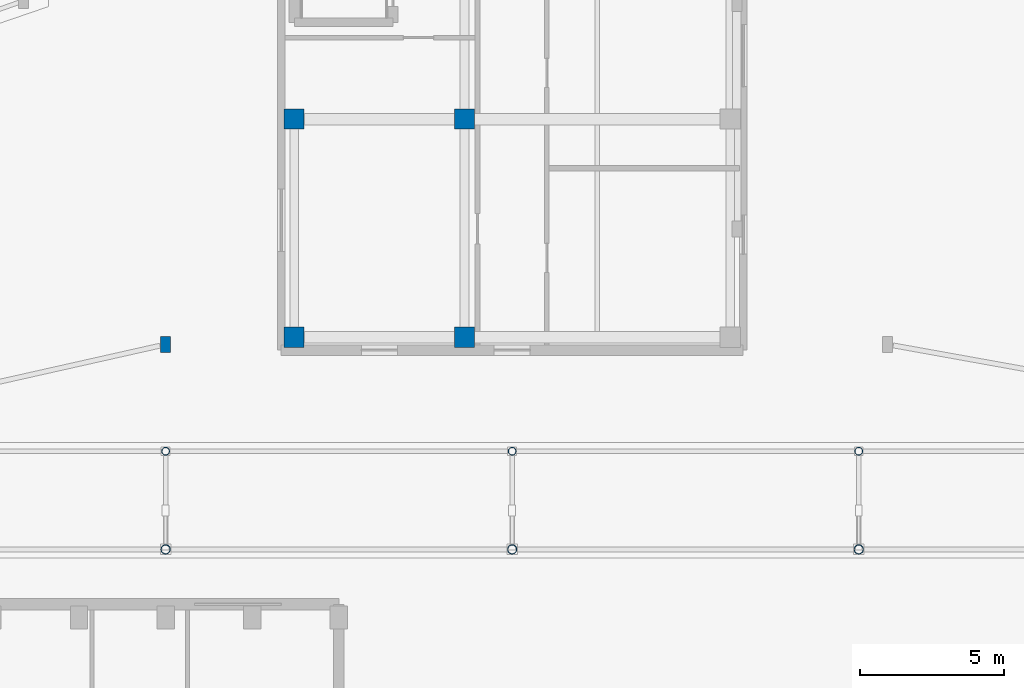
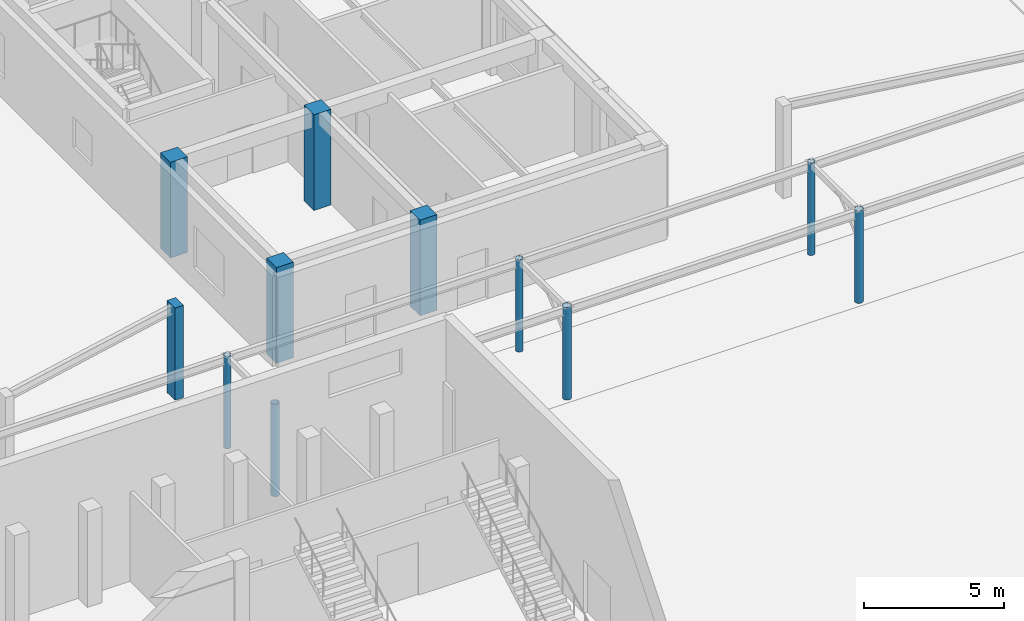
# One storey, part 8 of 114: 11 columns.
"""IFC4 building model written with IfcOpenShell, lengths in metres."""

from ifc_helpers import new_model, si_unit, direction, frame, origin, origin_2d, place, context, subcontext, project, spatial, rectangle, hollow_circle, extrude, material, material_profile, profile_set, type_object, element, save


model = new_model("IFC4")

# Units and contexts
model_context = context("Model", 3, precision=1e-05, world=origin(), true_north=direction((0.0, 1.0)))
body_context = subcontext(model_context, "Body", "Model", "MODEL_VIEW")
ifc_project = project(units=[si_unit("LENGTHUNIT", "METRE"), si_unit("AREAUNIT", "SQUARE_METRE"), si_unit("VOLUMEUNIT", "CUBIC_METRE"), si_unit("PLANEANGLEUNIT", "RADIAN"), si_unit("MASSUNIT", "GRAM", prefix="KILO")], contexts=[model_context])

# Site, building, storey
site_placement = place(None, origin())
site = spatial("IfcSite", under=ifc_project, at=site_placement, CompositionType="ELEMENT")
building_placement = place(site_placement, origin())
building = spatial("IfcBuilding", under=site, at=building_placement, Name="Keldmere Railside Commons", CompositionType="ELEMENT")
storey_placement = place(building_placement, origin())
storey = spatial("IfcBuildingStorey", under=building, at=storey_placement, Name="L00", CompositionType="ELEMENT", Elevation=0.0)

# Columns
ifc_material_1 = material(Name="Steel F-36 (S355)", Category="steel")
ifc_material_profile_1 = material_profile(ifc_material_1, hollow_circle(Radius=0.162109375, WallThickness=0.011962890625, at=origin_2d()), Name="CHS-324x12")
ifc_profile_set_1 = profile_set([ifc_material_profile_1], Name="Steel F-36 (S355)")
column_type_1 = type_object("IfcColumnType", Name="Colonnade Gallery Steel Column CHS324", PredefinedType="COLUMN", material=ifc_profile_set_1)
for number, where, z_axis, x_axis, name in (
    (1, (100.0, 49.10009765625, 0.0), (0.0, 0.0, 1.0), (1.0, 0.0, 0.0), "SC-1 COL-L00-0873"),
    (2, (112.0, 49.10009765625, 0.0), (0.0, 0.0, 1.0), (1.0, 0.0, 0.0), "SC-1 COL-L00-1092"),
    (3, (124.0, 49.10009765625, 0.0), (0.0, 0.0, 1.0), (1.0, 0.0, 0.0), "SC-1 COL-L00-1270"),
):
    element("IfcColumn", number, at=place(storey_placement, frame(where, z_axis=z_axis, x_axis=x_axis)), inside=storey, type_object=column_type_1, Name=name, PredefinedType="COLUMN", context=body_context, shape_type="SweptSolid", body=[
        extrude(hollow_circle(Radius=0.162109375, WallThickness=0.011962890625, at=origin_2d()), origin(), (0.0, 0.0, 1.0), 4.010009765625),
    ])
ifc_material_profile_2 = material_profile(ifc_material_1, hollow_circle(Radius=0.136474609375, WallThickness=0.010009765625, at=origin_2d()), Name="CHS-273x10")
ifc_profile_set_2 = profile_set([ifc_material_profile_2], Name="Steel F-36 (S355)")
column_type_2 = type_object("IfcColumnType", Name="Entrance Canopy Steel Column CHS273", PredefinedType="COLUMN", material=ifc_profile_set_2)
for number, where, z_axis, x_axis, name in (
    (4, (100.0, 52.5, 0.0), (0.0, 0.0, 1.0), (1.0, 0.0, 0.0), "SC-2 COL-L00-0875"),
    (5, (112.0, 52.5, 0.0), (0.0, 0.0, 1.0), (1.0, 0.0, 0.0), "SC-2 COL-L00-1094"),
    (6, (124.0, 52.5, 0.0), (0.0, 0.0, 1.0), (1.0, 0.0, 0.0), "SC-2 COL-L00-1272"),
):
    element("IfcColumn", number, at=place(storey_placement, frame(where, z_axis=z_axis, x_axis=x_axis)), inside=storey, type_object=column_type_2, Name=name, PredefinedType="COLUMN", context=body_context, shape_type="SweptSolid", body=[
        extrude(hollow_circle(Radius=0.136474609375, WallThickness=0.010009765625, at=origin_2d()), origin(), (0.0, 0.0, 1.0), 4.010009765625),
    ])
ifc_material_2 = material(Name="Architectural Precast Concrete H-35 (C35/45)", Category="concrete")
ifc_material_profile_3 = material_profile(ifc_material_2, rectangle(XDim=0.35009765625, YDim=0.550048828125, at=origin_2d()), Name="RC-350x550")
ifc_profile_set_3 = profile_set([ifc_material_profile_3], Name="Architectural Precast Concrete H-35 (C35/45)")
column_type_3 = type_object("IfcColumnType", Name="Facade Precast Pilaster Column 350x550", PredefinedType="PILASTER", material=ifc_profile_set_3)
column_placement = place(storey_placement, frame((100.0, 56.199951171875, 0.0), z_axis=(0.0, 0.0, 1.0), x_axis=(1.0, 0.0, 0.0)))
element("IfcColumn", 7, at=column_placement, inside=storey, type_object=column_type_3, Name="C-PIL COL-L00-0877", PredefinedType="PILASTER", context=body_context, shape_type="SweptSolid", body=[
    extrude(rectangle(XDim=0.35009765625, YDim=0.550048828125, at=origin_2d()), origin(), (0.0, 0.0, 1.0), 4.010009765625),
])
ifc_material_3 = material(Name="Concrete H-40 (C40/50)", Category="concrete")
ifc_material_profile_4 = material_profile(ifc_material_3, rectangle(XDim=0.699951171875, YDim=0.699951171875, at=origin_2d()), Name="RC-700x700")
ifc_profile_set_4 = profile_set([ifc_material_profile_4], Name="Concrete H-40 (C40/50)")
column_type_4 = type_object("IfcColumnType", Name="Lower Residential RC Column 700x700", PredefinedType="COLUMN", material=ifc_profile_set_4)
for number, where, z_axis, x_axis, name in (
    (8, (104.449951171875, 56.449951171875, 0.0), (0.0, 0.0, 1.0), (1.0, 0.0, 0.0), "C-700 COL-L00-0921"),
    (9, (104.449951171875, 64.0, 0.0), (0.0, 0.0, 1.0), (1.0, 0.0, 0.0), "C-700 COL-L00-0930"),
    (10, (110.35009765625, 56.449951171875, 0.0), (0.0, 0.0, 1.0), (1.0, 0.0, 0.0), "C-700 COL-L00-1015"),
    (11, (110.35009765625, 64.0, 0.0), (0.0, 0.0, 1.0), (1.0, 0.0, 0.0), "C-700 COL-L00-1024"),
):
    element("IfcColumn", number, at=place(storey_placement, frame(where, z_axis=z_axis, x_axis=x_axis)), inside=storey, type_object=column_type_4, Name=name, PredefinedType="COLUMN", context=body_context, shape_type="SweptSolid", body=[
        extrude(rectangle(XDim=0.699951171875, YDim=0.699951171875, at=origin_2d()), origin(), (0.0, 0.0, 1.0), 4.159912109375),
    ])

save(model, "model.ifc")
